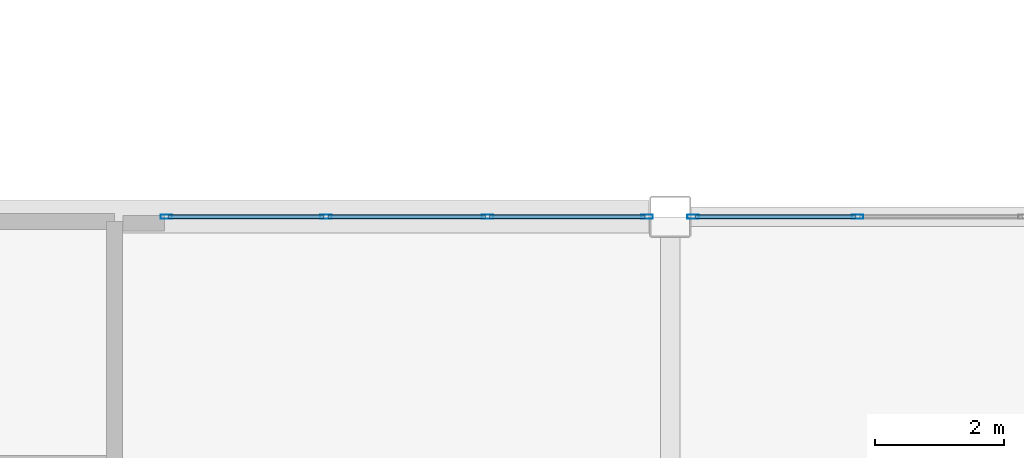
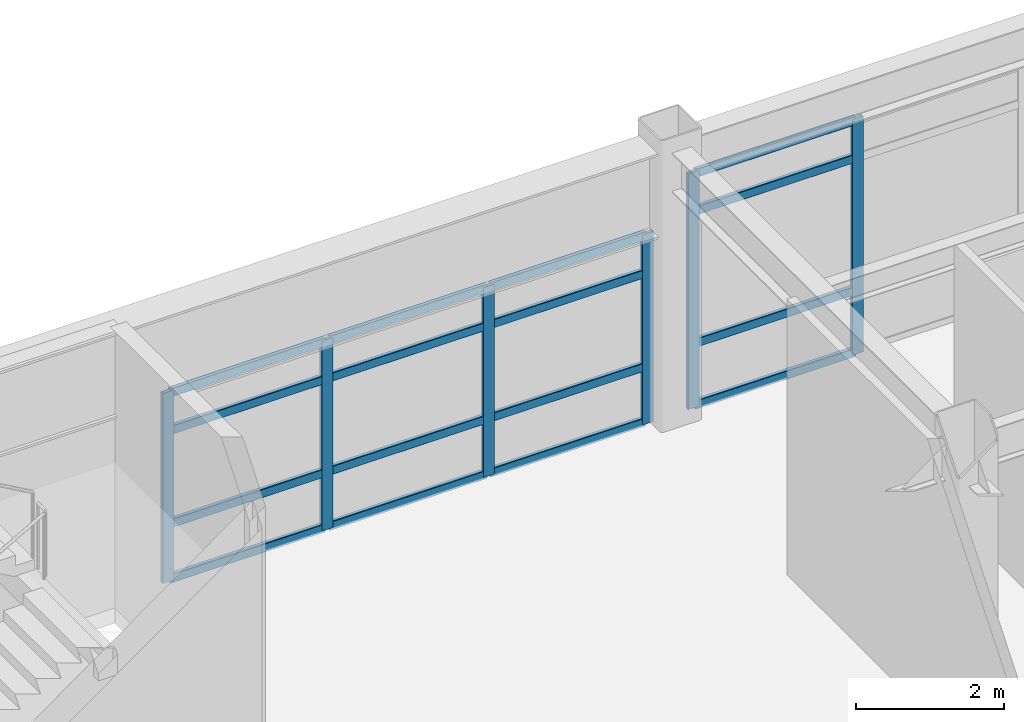
# One storey, part 54 of 172: 22 members, 2 elements without a shape of their own.
"""IFC4 building model written with IfcOpenShell, lengths in metres."""

import ifcopenshell
import ifcopenshell.guid

model = None  # the IFC model being written
_history = None  # IfcOwnerHistory: only IFC2X3 demands one
_inside = {}  # id of a spatial element -> (the spatial element, [elements in it])
_under = {}  # id of a project, library or spatial element -> (it, [spatial elements below it])
_declared = {}  # id of a project -> (the project, [libraries it declares])
_typed = {}  # id of a type object -> (the type object, [elements of that type])
_made_of = {}  # id of a material, layer set ... -> (it, [elements and type objects made of it])


def new_model(schema):
    """Start an empty IFC model of exactly this schema.

    Asked for "IFC4X3", IfcOpenShell would pick the latest addendum, in which some entities
    have other attributes; the version numbers below select the first issue.
    IFC2X3 requires an IfcOwnerHistory on every rooted entity: one is made here for all.
    """
    global model, _history
    if schema == "IFC4X3":
        model = ifcopenshell.file(schema_version=(4, 3, 0, 0))
    else:
        model = ifcopenshell.file(schema=schema)
    _inside.clear()
    _under.clear()
    _declared.clear()
    _typed.clear()
    _made_of.clear()
    _history = None
    if model.schema == "IFC2X3":
        org = make("IfcOrganization", Name="unknown")
        user = make(
            "IfcPersonAndOrganization",
            ThePerson=make("IfcPerson", FamilyName="unknown"),
            TheOrganization=org,
        )
        app = make(
            "IfcApplication",
            ApplicationDeveloper=org,
            Version="unknown",
            ApplicationFullName="unknown",
            ApplicationIdentifier="unknown",
        )
        _history = make(
            "IfcOwnerHistory",
            OwningUser=user,
            OwningApplication=app,
            ChangeAction="ADDED",
            CreationDate=0,
        )
    return model


def make(cls, **values):
    """One entity of the class cls with the attributes given. An attribute that is None is left unset."""
    return model.create_entity(
        cls, **{name: value for name, value in values.items() if value is not None}
    )


def rooted(cls, **values):
    """An entity with a GlobalId (a new one), such as an element, a storey or a relation."""
    return make(cls, GlobalId=ifcopenshell.guid.new(), OwnerHistory=_history, **values)


def si_unit(unit_type, name, prefix=None):
    """IfcSIUnit, for example si_unit("LENGTHUNIT", "METRE", prefix="MILLI")."""
    return make("IfcSIUnit", UnitType=unit_type, Prefix=prefix, Name=name)


def assignment(units):
    """IfcUnitAssignment: the units of a project."""
    return None if units is None else make("IfcUnitAssignment", Units=units)


def point(xyz):
    """IfcCartesianPoint."""
    return None if xyz is None else make("IfcCartesianPoint", Coordinates=xyz)


def direction(xyz):
    """IfcDirection."""
    return None if xyz is None else make("IfcDirection", DirectionRatios=xyz)


def frame(location, z_axis=None, x_axis=None):
    """IfcAxis2Placement3D, a coordinate frame: its origin and axes. An axis left out is left unset."""
    return make(
        "IfcAxis2Placement3D",
        Location=point(location),
        Axis=direction(z_axis),
        RefDirection=direction(x_axis),
    )


def frame_2d(location, x_axis=None):
    """IfcAxis2Placement2D, a coordinate frame in the plane: its origin and x axis."""
    return make(
        "IfcAxis2Placement2D", Location=point(location), RefDirection=direction(x_axis)
    )


def origin():
    """The frame at (0, 0, 0) with its axes left unset."""
    return frame((0.0, 0.0, 0.0))


def origin_2d():
    """The frame at (0, 0) in the plane with its x axis left unset."""
    return frame_2d((0.0, 0.0))


def place(relative_to, where):
    """IfcLocalPlacement: puts the frame where relative to a parent placement (None: the world)."""
    return make(
        "IfcLocalPlacement", PlacementRelTo=relative_to, RelativePlacement=where
    )


def context(
    kind, dimensions, precision=None, world=None, true_north=None, identifier=None
):
    """IfcGeometricRepresentationContext, for example the 3D "Model" context."""
    return make(
        "IfcGeometricRepresentationContext",
        ContextIdentifier=identifier,
        ContextType=kind,
        CoordinateSpaceDimension=dimensions,
        Precision=precision,
        WorldCoordinateSystem=world,
        TrueNorth=true_north,
    )


def subcontext(parent, identifier, kind, view, scale=None):
    """IfcGeometricRepresentationSubContext, for example "Body" below "Model"."""
    return make(
        "IfcGeometricRepresentationSubContext",
        ContextIdentifier=identifier,
        ContextType=kind,
        ParentContext=parent,
        TargetScale=scale,
        TargetView=view,
    )


def project(units=None, contexts=None):
    """IfcProject with its units and contexts."""
    return rooted(
        "IfcProject",
        Name="project",
        RepresentationContexts=contexts,
        UnitsInContext=assignment(units),
    )


def spatial(cls, under=None, at=None, **own):
    """A site, building, storey or space (cls), placed at a placement, below another one or the project."""
    s = rooted(cls, ObjectPlacement=at, **own)
    if under is not None:
        _under.setdefault(under.id(), (under, []))[1].append(s)
    return s


def profile(cls, at=None, kind="AREA", **sizes):
    """A parametric profile (cls). Its sizes go by their IFC names, for example OverallWidth=200.0."""
    return make(cls, ProfileType=kind, Position=at, **sizes)


def hollow_rectangle(**sizes):
    """IfcRectangleHollowProfileDef."""
    return profile("IfcRectangleHollowProfileDef", **sizes)


def extrude(swept, where, along, depth):
    """IfcExtrudedAreaSolid: the profile swept, set in the frame where, extruded along a direction by depth."""
    return make(
        "IfcExtrudedAreaSolid",
        SweptArea=swept,
        Position=where,
        ExtrudedDirection=direction(along),
        Depth=depth,
    )


def shape(context_of_items, identifier, shape_type, items):
    """IfcShapeRepresentation: the items that make up one representation, for example the "Body"."""
    return make(
        "IfcShapeRepresentation",
        ContextOfItems=context_of_items,
        RepresentationIdentifier=identifier,
        RepresentationType=shape_type,
        Items=items,
    )


def material(Name=None, Category=None):
    """IfcMaterial."""
    return make("IfcMaterial", Name=Name, Category=Category)


def layer(
    of_material, thickness, ventilated=None, Name=None, Category=None, Priority=None
):
    """IfcMaterialLayer: one layer of a wall or slab, of a material (None: an air gap)."""
    return make(
        "IfcMaterialLayer",
        Material=of_material,
        LayerThickness=thickness,
        IsVentilated=ventilated,
        Name=Name,
        Category=Category,
        Priority=Priority,
    )


def layer_set(layers, Name=None):
    """IfcMaterialLayerSet."""
    return make("IfcMaterialLayerSet", MaterialLayers=layers, LayerSetName=Name)


def material_profile(
    of_material, cross_section, Name=None, Category=None, Priority=None
):
    """IfcMaterialProfile: a cross section and its material."""
    return make(
        "IfcMaterialProfile",
        Name=Name,
        Material=of_material,
        Profile=cross_section,
        Priority=Priority,
        Category=Category,
    )


def profile_set(profiles, Name=None, composite=None):
    """IfcMaterialProfileSet."""
    return make(
        "IfcMaterialProfileSet",
        Name=Name,
        MaterialProfiles=profiles,
        CompositeProfile=composite,
    )


def made_of(thing, what):
    """Note that an element or type object is made of a material, layer set ...; save() writes the relation."""
    if what is not None:
        _made_of.setdefault(what.id(), (what, []))[1].append(thing)
    return thing


def type_object(cls, material=None, **own):
    """A type object (cls), such as IfcWallType, which elements share."""
    return made_of(rooted(cls, **own), material)


def element(
    cls,
    number,
    at=None,
    inside=None,
    cuts=None,
    type_object=None,
    material=None,
    context=None,
    identifier="Body",
    shape_type=None,
    held_by="IfcProductDefinitionShape",
    body=None,
    shapes=None,
    **own,
):
    """One element of the class cls, such as IfcWall. Its Tag is "e" and its number.

    at: its placement. inside: the storey or other place that contains it. cuts: it is an
    opening in that element (IfcRelVoidsElement). A single representation is given by context,
    identifier, shape_type and body (its items); several are given by shapes. held_by: the class
    of the entity that holds the representations. save() writes the other relations.
    """
    e = rooted(cls, Tag="e%d" % number, ObjectPlacement=at, **own)
    if body is not None:
        shapes = [shape(context, identifier, shape_type, body)]
    if shapes is not None:
        e.Representation = make(held_by, Representations=shapes)
    if inside is not None:
        _inside.setdefault(inside.id(), (inside, []))[1].append(e)
    if cuts is not None:
        rooted(
            "IfcRelVoidsElement", RelatingBuildingElement=cuts, RelatedOpeningElement=e
        )
    if type_object is not None:
        _typed.setdefault(type_object.id(), (type_object, []))[1].append(e)
    return made_of(e, material)


def aggregate(whole, parts):
    """IfcRelAggregates: a whole, such as a stair, and the parts it consists of."""
    return rooted("IfcRelAggregates", RelatingObject=whole, RelatedObjects=parts)


def save(model, path):
    """Write the relations noted so far, then the file.

    IfcRelAggregates (storeys below a building ...), IfcRelContainedInSpatialStructure (elements
    in a storey), IfcRelDefinesByType, IfcRelAssociatesMaterial and IfcRelDeclares: one each for
    every whole, place, type object, material and project.
    """
    for whole, parts in _under.values():
        aggregate(whole, parts)
    for where, things in _inside.values():
        rooted(
            "IfcRelContainedInSpatialStructure",
            RelatedElements=things,
            RelatingStructure=where,
        )
    for kind, things in _typed.values():
        rooted("IfcRelDefinesByType", RelatedObjects=things, RelatingType=kind)
    for what, things in _made_of.values():
        rooted("IfcRelAssociatesMaterial", RelatedObjects=things, RelatingMaterial=what)
    for by, libraries in _declared.values():
        rooted("IfcRelDeclares", RelatingContext=by, RelatedDefinitions=libraries)
    model.write(path)


model = new_model("IFC4")

# Units and contexts
model_context = context("Model", 3, precision=1e-05, world=origin(), true_north=direction((0.0, 1.0)))
body_context = subcontext(model_context, "Body", "Model", "MODEL_VIEW")
ifc_project = project(units=[si_unit("LENGTHUNIT", "METRE"), si_unit("AREAUNIT", "SQUARE_METRE"), si_unit("VOLUMEUNIT", "CUBIC_METRE"), si_unit("PLANEANGLEUNIT", "RADIAN"), si_unit("MASSUNIT", "GRAM", prefix="KILO")], contexts=[model_context])

# Site, building, storey
site_placement = place(None, origin())
site = spatial("IfcSite", under=ifc_project, at=site_placement, CompositionType="ELEMENT")
building_placement = place(site_placement, origin())
building = spatial("IfcBuilding", under=site, at=building_placement, Name="Kazehara Bluff Congress Hotel", CompositionType="ELEMENT")
storey_placement = place(building_placement, frame((0.0, 0.0, 5.39990234375)))
storey = spatial("IfcBuildingStorey", under=building, at=storey_placement, Name="L01", CompositionType="ELEMENT", Elevation=5.39990234375)

# Curtain wall, members
ifc_material_1 = material(Name="Anodised aluminium", Category="aluminium")
ifc_layer_1 = layer(ifc_material_1, 0.159912109375)
ifc_layer_set_1 = layer_set([ifc_layer_1], Name="Anodised aluminium")
curtain_wall_type_1 = type_object("IfcCurtainWallType", Name="TP-CW-71", PredefinedType="NOTDEFINED", material=ifc_layer_set_1)
curtain_wall_1_placement = place(storey_placement, origin())
curtain_wall_1 = element("IfcCurtainWall", 1, at=curtain_wall_1_placement, inside=storey, type_object=curtain_wall_type_1, Name="L01 curtain wall CW-71 CW-V4-L01-Y5645-8500", PredefinedType="NOTDEFINED")
ifc_material_2 = material(Name="Anodised aluminium", Category="aluminium")
ifc_material_profile_1 = material_profile(ifc_material_2, hollow_rectangle(XDim=0.06494140625, YDim=0.179931640625, WallThickness=0.00390625, InnerFilletRadius=0.00390625, OuterFilletRadius=0.008056640625, at=origin_2d()))
ifc_profile_set_1 = profile_set([ifc_material_profile_1], Name="Anodised aluminium")
member_type_1 = type_object("IfcMemberType", Name="TP-CWM-02", PredefinedType="MULLION", material=ifc_profile_set_1)
member_1_placement = place(storey_placement, frame((85.032470703125, 56.449951171875, 0.0), z_axis=(0.0, 0.0, 1.0), x_axis=(0.0, 1.0, 0.0)))
member_1 = element("IfcMember", 2, at=member_1_placement, type_object=member_type_1, Name="CW-71 mullion 1", PredefinedType="MULLION", context=body_context, shape_type="SweptSolid", body=[
    extrude(hollow_rectangle(XDim=0.06494140625, YDim=0.179931640625, WallThickness=0.00390625, InnerFilletRadius=0.00390625, OuterFilletRadius=0.008056640625, at=origin_2d()), origin(), (0.0, 0.0, 1.0), 3.125),
])
member_2_placement = place(storey_placement, frame((87.50830078125, 56.449951171875, 0.0), z_axis=(0.0, 0.0, 1.0), x_axis=(0.0, 1.0, 0.0)))
member_2 = element("IfcMember", 3, at=member_2_placement, type_object=member_type_1, Name="CW-71 mullion 2", PredefinedType="MULLION", context=body_context, shape_type="SweptSolid", body=[
    extrude(hollow_rectangle(XDim=0.06494140625, YDim=0.179931640625, WallThickness=0.00390625, InnerFilletRadius=0.00390625, OuterFilletRadius=0.008056640625, at=origin_2d()), origin(), (0.0, 0.0, 1.0), 3.125),
])
member_3_placement = place(storey_placement, frame((90.0166015625, 56.449951171875, 0.0), z_axis=(0.0, 0.0, 1.0), x_axis=(0.0, 1.0, 0.0)))
member_3 = element("IfcMember", 4, at=member_3_placement, type_object=member_type_1, Name="CW-71 mullion 3", PredefinedType="MULLION", context=body_context, shape_type="SweptSolid", body=[
    extrude(hollow_rectangle(XDim=0.06494140625, YDim=0.179931640625, WallThickness=0.00390625, InnerFilletRadius=0.00390625, OuterFilletRadius=0.008056640625, at=origin_2d()), origin(), (0.0, 0.0, 1.0), 3.125),
])
member_4_placement = place(storey_placement, frame((92.492431640625, 56.449951171875, 0.0), z_axis=(0.0, 0.0, 1.0), x_axis=(0.0, 1.0, 0.0)))
member_4 = element("IfcMember", 5, at=member_4_placement, type_object=member_type_1, Name="CW-71 mullion 4", PredefinedType="MULLION", context=body_context, shape_type="SweptSolid", body=[
    extrude(hollow_rectangle(XDim=0.06494140625, YDim=0.179931640625, WallThickness=0.00390625, InnerFilletRadius=0.00390625, OuterFilletRadius=0.008056640625, at=origin_2d()), origin(), (0.0, 0.0, 1.0), 3.125),
])

ifc_material_3 = material(Name="Anodised aluminium", Category="aluminium")
ifc_layer_2 = layer(ifc_material_3, 0.159912109375)
ifc_layer_set_2 = layer_set([ifc_layer_2], Name="Anodised aluminium")
curtain_wall_type_2 = type_object("IfcCurtainWallType", Name="TP-CW-24", PredefinedType="NOTDEFINED", material=ifc_layer_set_2)
curtain_wall_2_placement = place(storey_placement, origin())
curtain_wall_2 = element("IfcCurtainWall", 6, at=curtain_wall_2_placement, inside=storey, type_object=curtain_wall_type_2, Name="L01 curtain wall CW-24 CW-V4-L01-Y5645-9318", PredefinedType="NOTDEFINED")
member_5_placement = place(storey_placement, frame((93.20751953125, 56.449951171875, 0.0), z_axis=(0.0, 0.0, 1.0), x_axis=(0.0, 1.0, 0.0)))
member_5 = element("IfcMember", 7, at=member_5_placement, type_object=member_type_1, Name="CW-24 mullion 1", PredefinedType="MULLION", context=body_context, shape_type="SweptSolid", body=[
    extrude(hollow_rectangle(XDim=0.06494140625, YDim=0.179931640625, WallThickness=0.00390625, InnerFilletRadius=0.00390625, OuterFilletRadius=0.008056640625, at=origin_2d()), origin(), (0.0, 0.0, 1.0), 3.875),
])
member_6_placement = place(storey_placement, frame((95.75830078125, 56.449951171875, 0.0), z_axis=(0.0, 0.0, 1.0), x_axis=(0.0, 1.0, 0.0)))
member_6 = element("IfcMember", 8, at=member_6_placement, type_object=member_type_1, Name="CW-24 mullion 2", PredefinedType="MULLION", context=body_context, shape_type="SweptSolid", body=[
    extrude(hollow_rectangle(XDim=0.06494140625, YDim=0.179931640625, WallThickness=0.00390625, InnerFilletRadius=0.00390625, OuterFilletRadius=0.008056640625, at=origin_2d()), origin(), (0.0, 0.0, 1.0), 3.875),
])

# Member
ifc_material_4 = material(Name="Anodised aluminium", Category="aluminium")
ifc_material_profile_2 = material_profile(ifc_material_4, hollow_rectangle(XDim=0.06494140625, YDim=0.139892578125, WallThickness=0.00390625, InnerFilletRadius=0.00390625, OuterFilletRadius=0.008056640625, at=origin_2d()))
ifc_profile_set_2 = profile_set([ifc_material_profile_2], Name="Anodised aluminium")
member_type_2 = type_object("IfcMemberType", Name="TP-CWT-02", PredefinedType="USERDEFINED", material=ifc_profile_set_2)
member_7_placement = place(storey_placement, frame((85.06494140625, 56.449951171875, 0.03271484375), z_axis=(1.0, 0.0, 0.0), x_axis=(0.0, 1.0, 0.0)))
member_7 = element("IfcMember", 9, at=member_7_placement, type_object=member_type_2, Name="CW-71 transom 1.1", ObjectType="TRANSOM", PredefinedType="USERDEFINED", context=body_context, shape_type="SweptSolid", body=[
    extrude(hollow_rectangle(XDim=0.06494140625, YDim=0.139892578125, WallThickness=0.00390625, InnerFilletRadius=0.00390625, OuterFilletRadius=0.008056640625, at=origin_2d()), origin(), (0.0, 0.0, 1.0), 2.410888671875),
])

member_8_placement = place(storey_placement, frame((85.06494140625, 56.449951171875, 0.940185546875), z_axis=(1.0, 0.0, 0.0), x_axis=(0.0, 1.0, 0.0)))
member_8 = element("IfcMember", 10, at=member_8_placement, type_object=member_type_2, Name="CW-71 transom 1.2", ObjectType="TRANSOM", PredefinedType="USERDEFINED", context=body_context, shape_type="SweptSolid", body=[
    extrude(hollow_rectangle(XDim=0.06494140625, YDim=0.139892578125, WallThickness=0.00390625, InnerFilletRadius=0.00390625, OuterFilletRadius=0.008056640625, at=origin_2d()), origin(), (0.0, 0.0, 1.0), 2.410888671875),
])

member_9_placement = place(storey_placement, frame((85.06494140625, 56.449951171875, 2.47509765625), z_axis=(1.0, 0.0, 0.0), x_axis=(0.0, 1.0, 0.0)))
member_9 = element("IfcMember", 11, at=member_9_placement, type_object=member_type_2, Name="CW-71 transom 1.3", ObjectType="TRANSOM", PredefinedType="USERDEFINED", context=body_context, shape_type="SweptSolid", body=[
    extrude(hollow_rectangle(XDim=0.06494140625, YDim=0.139892578125, WallThickness=0.00390625, InnerFilletRadius=0.00390625, OuterFilletRadius=0.008056640625, at=origin_2d()), origin(), (0.0, 0.0, 1.0), 2.410888671875),
])

member_10_placement = place(storey_placement, frame((85.06494140625, 56.449951171875, 3.092529296875), z_axis=(1.0, 0.0, 0.0), x_axis=(0.0, 1.0, 0.0)))
member_10 = element("IfcMember", 12, at=member_10_placement, type_object=member_type_2, Name="CW-71 transom 1.4", ObjectType="TRANSOM", PredefinedType="USERDEFINED", context=body_context, shape_type="SweptSolid", body=[
    extrude(hollow_rectangle(XDim=0.06494140625, YDim=0.139892578125, WallThickness=0.00390625, InnerFilletRadius=0.00390625, OuterFilletRadius=0.008056640625, at=origin_2d()), origin(), (0.0, 0.0, 1.0), 2.410888671875),
])

member_11_placement = place(storey_placement, frame((87.540771484375, 56.449951171875, 0.03271484375), z_axis=(1.0, 0.0, 0.0), x_axis=(0.0, 1.0, 0.0)))
member_11 = element("IfcMember", 13, at=member_11_placement, type_object=member_type_2, Name="CW-71 transom 2.1", ObjectType="TRANSOM", PredefinedType="USERDEFINED", context=body_context, shape_type="SweptSolid", body=[
    extrude(hollow_rectangle(XDim=0.06494140625, YDim=0.139892578125, WallThickness=0.00390625, InnerFilletRadius=0.00390625, OuterFilletRadius=0.008056640625, at=origin_2d()), origin(), (0.0, 0.0, 1.0), 2.443359375),
])

member_12_placement = place(storey_placement, frame((87.540771484375, 56.449951171875, 0.940185546875), z_axis=(1.0, 0.0, 0.0), x_axis=(0.0, 1.0, 0.0)))
member_12 = element("IfcMember", 14, at=member_12_placement, type_object=member_type_2, Name="CW-71 transom 2.2", ObjectType="TRANSOM", PredefinedType="USERDEFINED", context=body_context, shape_type="SweptSolid", body=[
    extrude(hollow_rectangle(XDim=0.06494140625, YDim=0.139892578125, WallThickness=0.00390625, InnerFilletRadius=0.00390625, OuterFilletRadius=0.008056640625, at=origin_2d()), origin(), (0.0, 0.0, 1.0), 2.443359375),
])

member_13_placement = place(storey_placement, frame((87.540771484375, 56.449951171875, 2.47509765625), z_axis=(1.0, 0.0, 0.0), x_axis=(0.0, 1.0, 0.0)))
member_13 = element("IfcMember", 15, at=member_13_placement, type_object=member_type_2, Name="CW-71 transom 2.3", ObjectType="TRANSOM", PredefinedType="USERDEFINED", context=body_context, shape_type="SweptSolid", body=[
    extrude(hollow_rectangle(XDim=0.06494140625, YDim=0.139892578125, WallThickness=0.00390625, InnerFilletRadius=0.00390625, OuterFilletRadius=0.008056640625, at=origin_2d()), origin(), (0.0, 0.0, 1.0), 2.443359375),
])

member_14_placement = place(storey_placement, frame((87.540771484375, 56.449951171875, 3.092529296875), z_axis=(1.0, 0.0, 0.0), x_axis=(0.0, 1.0, 0.0)))
member_14 = element("IfcMember", 16, at=member_14_placement, type_object=member_type_2, Name="CW-71 transom 2.4", ObjectType="TRANSOM", PredefinedType="USERDEFINED", context=body_context, shape_type="SweptSolid", body=[
    extrude(hollow_rectangle(XDim=0.06494140625, YDim=0.139892578125, WallThickness=0.00390625, InnerFilletRadius=0.00390625, OuterFilletRadius=0.008056640625, at=origin_2d()), origin(), (0.0, 0.0, 1.0), 2.443359375),
])

member_15_placement = place(storey_placement, frame((90.049072265625, 56.449951171875, 0.03271484375), z_axis=(1.0, 0.0, 0.0), x_axis=(0.0, 1.0, 0.0)))
member_15 = element("IfcMember", 17, at=member_15_placement, type_object=member_type_2, Name="CW-71 transom 3.1", ObjectType="TRANSOM", PredefinedType="USERDEFINED", context=body_context, shape_type="SweptSolid", body=[
    extrude(hollow_rectangle(XDim=0.06494140625, YDim=0.139892578125, WallThickness=0.00390625, InnerFilletRadius=0.00390625, OuterFilletRadius=0.008056640625, at=origin_2d()), origin(), (0.0, 0.0, 1.0), 2.410888671875),
])

member_16_placement = place(storey_placement, frame((90.049072265625, 56.449951171875, 0.940185546875), z_axis=(1.0, 0.0, 0.0), x_axis=(0.0, 1.0, 0.0)))
member_16 = element("IfcMember", 18, at=member_16_placement, type_object=member_type_2, Name="CW-71 transom 3.2", ObjectType="TRANSOM", PredefinedType="USERDEFINED", context=body_context, shape_type="SweptSolid", body=[
    extrude(hollow_rectangle(XDim=0.06494140625, YDim=0.139892578125, WallThickness=0.00390625, InnerFilletRadius=0.00390625, OuterFilletRadius=0.008056640625, at=origin_2d()), origin(), (0.0, 0.0, 1.0), 2.410888671875),
])

member_17_placement = place(storey_placement, frame((90.049072265625, 56.449951171875, 2.47509765625), z_axis=(1.0, 0.0, 0.0), x_axis=(0.0, 1.0, 0.0)))
member_17 = element("IfcMember", 19, at=member_17_placement, type_object=member_type_2, Name="CW-71 transom 3.3", ObjectType="TRANSOM", PredefinedType="USERDEFINED", context=body_context, shape_type="SweptSolid", body=[
    extrude(hollow_rectangle(XDim=0.06494140625, YDim=0.139892578125, WallThickness=0.00390625, InnerFilletRadius=0.00390625, OuterFilletRadius=0.008056640625, at=origin_2d()), origin(), (0.0, 0.0, 1.0), 2.410888671875),
])

member_18_placement = place(storey_placement, frame((90.049072265625, 56.449951171875, 3.092529296875), z_axis=(1.0, 0.0, 0.0), x_axis=(0.0, 1.0, 0.0)))
member_18 = element("IfcMember", 20, at=member_18_placement, type_object=member_type_2, Name="CW-71 transom 3.4", ObjectType="TRANSOM", PredefinedType="USERDEFINED", context=body_context, shape_type="SweptSolid", body=[
    extrude(hollow_rectangle(XDim=0.06494140625, YDim=0.139892578125, WallThickness=0.00390625, InnerFilletRadius=0.00390625, OuterFilletRadius=0.008056640625, at=origin_2d()), origin(), (0.0, 0.0, 1.0), 2.410888671875),
])

aggregate(curtain_wall_1, [member_1, member_2, member_3, member_4, member_7, member_8, member_9, member_10, member_11, member_12, member_13, member_14, member_15, member_16, member_17, member_18])

member_19_placement = place(storey_placement, frame((93.239990234375, 56.449951171875, 0.03271484375), z_axis=(1.0, 0.0, 0.0), x_axis=(0.0, 1.0, 0.0)))
member_19 = element("IfcMember", 21, at=member_19_placement, type_object=member_type_2, Name="CW-24 transom 1.1", ObjectType="TRANSOM", PredefinedType="USERDEFINED", context=body_context, shape_type="SweptSolid", body=[
    extrude(hollow_rectangle(XDim=0.06494140625, YDim=0.139892578125, WallThickness=0.00390625, InnerFilletRadius=0.00390625, OuterFilletRadius=0.008056640625, at=origin_2d()), origin(), (0.0, 0.0, 1.0), 2.48583984375),
])

member_20_placement = place(storey_placement, frame((93.239990234375, 56.449951171875, 1.050048828125), z_axis=(1.0, 0.0, 0.0), x_axis=(0.0, 1.0, 0.0)))
member_20 = element("IfcMember", 22, at=member_20_placement, type_object=member_type_2, Name="CW-24 transom 1.2", ObjectType="TRANSOM", PredefinedType="USERDEFINED", context=body_context, shape_type="SweptSolid", body=[
    extrude(hollow_rectangle(XDim=0.06494140625, YDim=0.139892578125, WallThickness=0.00390625, InnerFilletRadius=0.00390625, OuterFilletRadius=0.008056640625, at=origin_2d()), origin(), (0.0, 0.0, 1.0), 2.48583984375),
])

member_21_placement = place(storey_placement, frame((93.239990234375, 56.449951171875, 3.22509765625), z_axis=(1.0, 0.0, 0.0), x_axis=(0.0, 1.0, 0.0)))
member_21 = element("IfcMember", 23, at=member_21_placement, type_object=member_type_2, Name="CW-24 transom 1.3", ObjectType="TRANSOM", PredefinedType="USERDEFINED", context=body_context, shape_type="SweptSolid", body=[
    extrude(hollow_rectangle(XDim=0.06494140625, YDim=0.139892578125, WallThickness=0.00390625, InnerFilletRadius=0.00390625, OuterFilletRadius=0.008056640625, at=origin_2d()), origin(), (0.0, 0.0, 1.0), 2.48583984375),
])

member_22_placement = place(storey_placement, frame((93.239990234375, 56.449951171875, 3.842529296875), z_axis=(1.0, 0.0, 0.0), x_axis=(0.0, 1.0, 0.0)))
member_22 = element("IfcMember", 24, at=member_22_placement, type_object=member_type_2, Name="CW-24 transom 1.4", ObjectType="TRANSOM", PredefinedType="USERDEFINED", context=body_context, shape_type="SweptSolid", body=[
    extrude(hollow_rectangle(XDim=0.06494140625, YDim=0.139892578125, WallThickness=0.00390625, InnerFilletRadius=0.00390625, OuterFilletRadius=0.008056640625, at=origin_2d()), origin(), (0.0, 0.0, 1.0), 2.48583984375),
])

aggregate(curtain_wall_2, [member_5, member_6, member_19, member_20, member_21, member_22])

save(model, "model.ifc")
